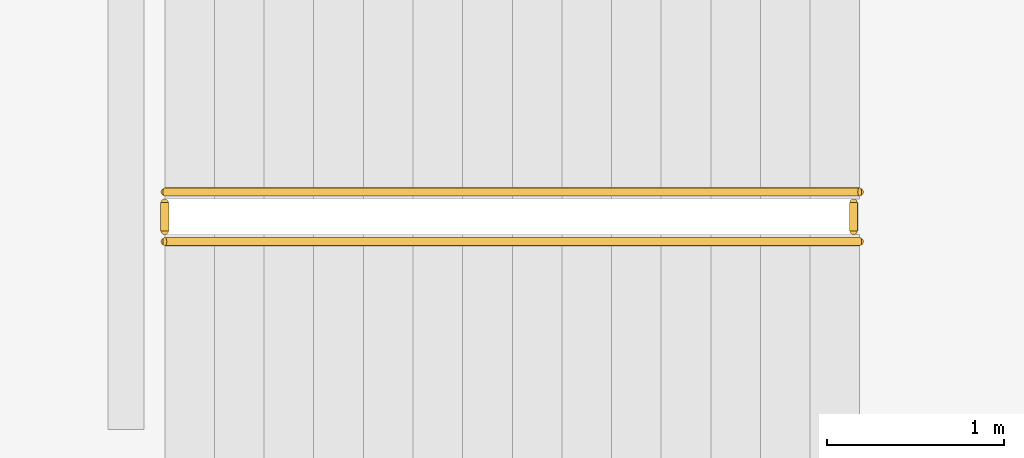
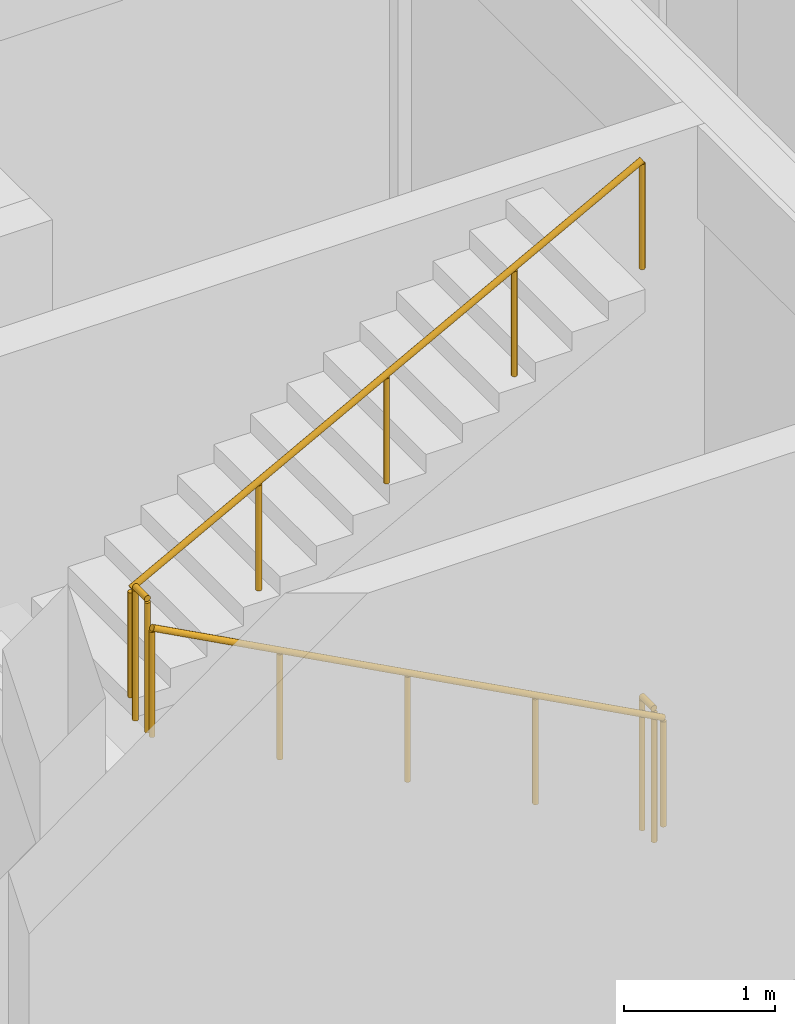
# One storey, part 38 of 45: 4 railings.
"""IFC4 building model written with IfcOpenShell, lengths in metres."""

from ifc_helpers import new_model, si_unit, direction, frame, origin, origin_2d, place, context, subcontext, project, spatial, circle, extrude, material, type_object, element, save


model = new_model("IFC4")

# Units and contexts
model_context = context("Model", 3, precision=1e-05, world=origin(), true_north=direction((0.0, 1.0)))
body_context = subcontext(model_context, "Body", "Model", "MODEL_VIEW")
ifc_project = project(units=[si_unit("LENGTHUNIT", "METRE"), si_unit("AREAUNIT", "SQUARE_METRE"), si_unit("VOLUMEUNIT", "CUBIC_METRE"), si_unit("PLANEANGLEUNIT", "RADIAN"), si_unit("MASSUNIT", "GRAM", prefix="KILO")], contexts=[model_context])

# Site, building, storey
site_placement = place(None, origin())
site = spatial("IfcSite", under=ifc_project, at=site_placement, CompositionType="ELEMENT")
building_placement = place(site_placement, origin())
building = spatial("IfcBuilding", under=site, at=building_placement, Name="Cinchona Park Media Centre", CompositionType="ELEMENT")
storey_placement = place(building_placement, frame((0.0, 0.0, 20.39990234375)))
storey = spatial("IfcBuildingStorey", under=building, at=storey_placement, Name="L04", CompositionType="ELEMENT", Elevation=20.39990234375)

# Railings
ifc_material_1 = material(Name="Painted Steel Stairwell Guardrail", Category="steel")
railing_type_1 = type_object("IfcRailingType", Name="RAILING-GR02", PredefinedType="GUARDRAIL", material=ifc_material_1)
for number, where, name in (
    (1, (13.864990234375, 65.719970703125, 0.0), "Stairwell Guardrail GR02 ST3 L04"),
    (2, (9.97998046875, 65.719970703125, 2.25), "Half-Landing Guardrail GR02 ST3 L04"),
):
    element("IfcRailing", number, at=place(storey_placement, frame(where)), inside=storey, type_object=railing_type_1, Name=name, PredefinedType="GUARDRAIL", context=body_context, shape_type="SweptSolid", body=[
        extrude(circle(Radius=0.02392578125, at=origin_2d()), frame((0.0, 0.0, 1.076171875), z_axis=(0.0, 1.0, 0.0), x_axis=(-1.0, 0.0, 0.0)), (0.0, 0.0, 1.0), 0.159912109375),
        extrude(circle(Radius=0.02099609375, at=origin_2d()), origin(), (0.0, 0.0, 1.0), 1.052001953125),
        extrude(circle(Radius=0.02099609375, at=origin_2d()), frame((0.0, 0.159912109375, 0.0)), (0.0, 0.0, 1.0), 1.052001953125),
    ])
ifc_material_2 = material(Name="Brushed Stainless Steel Handrail", Category="steel")
railing_type_2 = type_object("IfcRailingType", Name="RAILING-HR01", PredefinedType="HANDRAIL", material=ifc_material_2)
railing_1_placement = place(storey_placement, frame((13.89990234375, 65.659912109375, 0.150146484375)))
element("IfcRailing", 3, at=railing_1_placement, inside=storey, type_object=railing_type_2, Name="Stair Handrail HR01 ST3 L04 F1", PredefinedType="HANDRAIL", context=body_context, shape_type="SweptSolid", body=[
    extrude(circle(Radius=0.02392578125, at=origin_2d()), frame((0.0, 0.0, 0.8759765625), z_axis=(-0.881489763865, 0.0, 0.472203130232), x_axis=(0.0, -1.0, 0.0)), (0.0, 0.0, 1.0), 4.447021484375),
    extrude(circle(Radius=0.02099609375, at=origin_2d()), origin(), (0.0, 0.0, 1.0), 0.851806640625),
    extrude(circle(Radius=0.02099609375, at=origin_2d()), frame((-0.97998046875, 0.0, 0.52490234375)), (0.0, 0.0, 1.0), 0.851806640625),
    extrude(circle(Radius=0.02099609375, at=origin_2d()), frame((-1.9599609375, 0.0, 1.0498046875)), (0.0, 0.0, 1.0), 0.851806640625),
    extrude(circle(Radius=0.02099609375, at=origin_2d()), frame((-2.93994140625, 0.0, 1.574951171875)), (0.0, 0.0, 1.0), 0.851806640625),
    extrude(circle(Radius=0.02099609375, at=origin_2d()), frame((-3.919921875, 0.0, 2.099853515625)), (0.0, 0.0, 1.0), 0.851806640625),
])
railing_2_placement = place(storey_placement, frame((9.97998046875, 65.93994140625, 2.400146484375)))
element("IfcRailing", 4, at=railing_2_placement, inside=storey, type_object=railing_type_2, Name="Stair Handrail HR01 ST3 L04 F2", PredefinedType="HANDRAIL", context=body_context, shape_type="SweptSolid", body=[
    extrude(circle(Radius=0.02392578125, at=origin_2d()), frame((0.0, 0.0, 0.8759765625), z_axis=(0.881489763865, 0.0, 0.472203130232), x_axis=(0.0, 1.0, 0.0)), (0.0, 0.0, 1.0), 4.447021484375),
    extrude(circle(Radius=0.02099609375, at=origin_2d()), origin(), (0.0, 0.0, 1.0), 0.851806640625),
    extrude(circle(Radius=0.02099609375, at=origin_2d()), frame((0.97998046875, 0.0, 0.52490234375)), (0.0, 0.0, 1.0), 0.851806640625),
    extrude(circle(Radius=0.02099609375, at=origin_2d()), frame((1.9599609375, 0.0, 1.0498046875)), (0.0, 0.0, 1.0), 0.851806640625),
    extrude(circle(Radius=0.02099609375, at=origin_2d()), frame((2.93994140625, 0.0, 1.574951171875)), (0.0, 0.0, 1.0), 0.851806640625),
    extrude(circle(Radius=0.02099609375, at=origin_2d()), frame((3.919921875, 0.0, 2.099853515625)), (0.0, 0.0, 1.0), 0.851806640625),
])

save(model, "model.ifc")
